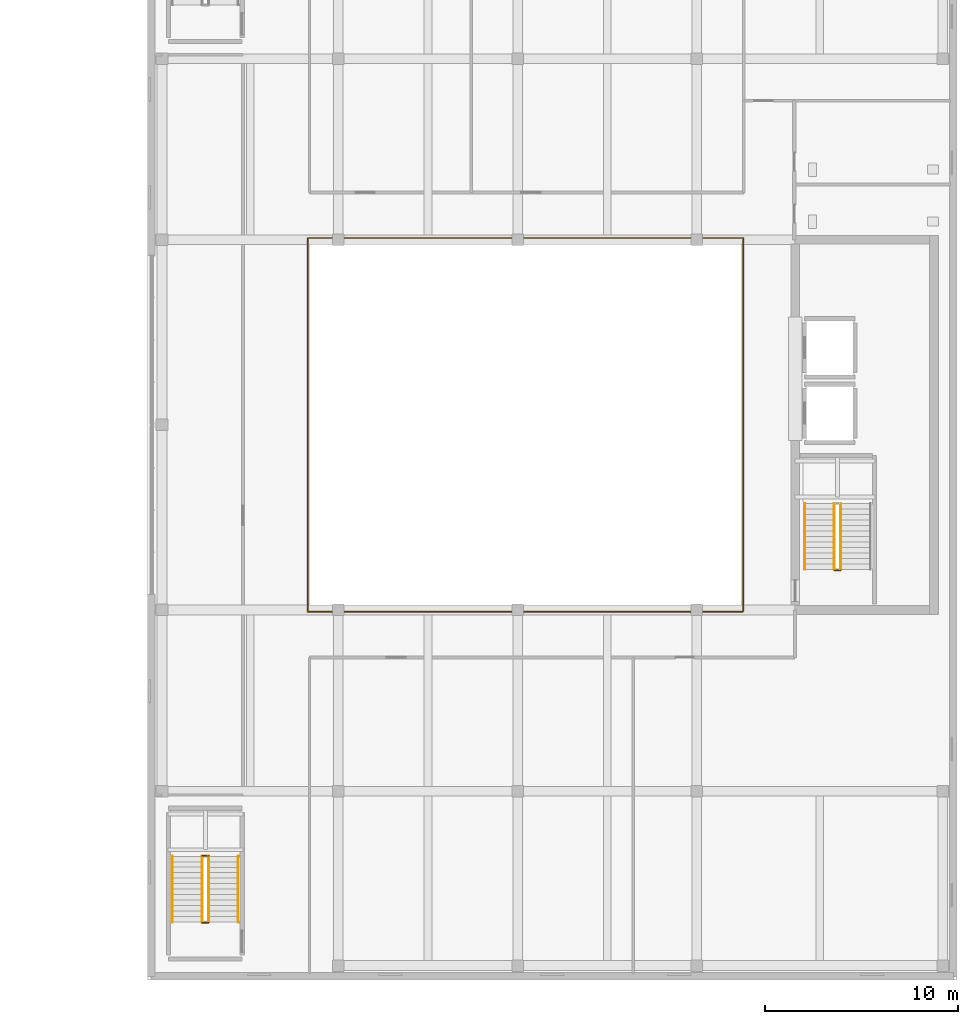
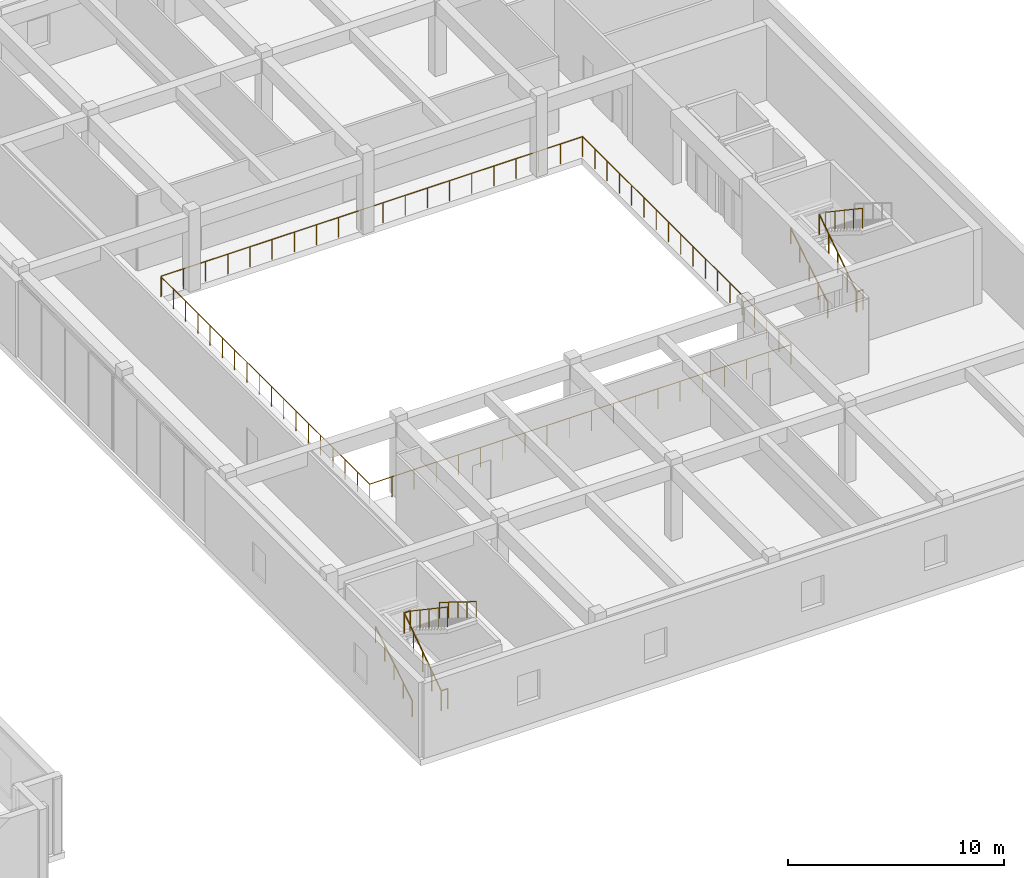
# One storey, part 22 of 24: 12 railings.
"""IFC4 building model written with IfcOpenShell, lengths in metres."""

from ifc_helpers import new_model, si_unit, direction, frame, origin, origin_2d, place, context, subcontext, project, spatial, circle, extrude, material, type_object, element, save


model = new_model("IFC4")

# Units and contexts
model_context = context("Model", 3, precision=1e-05, world=origin(), true_north=direction((0.0, 1.0)))
body_context = subcontext(model_context, "Body", "Model", "MODEL_VIEW")
ifc_project = project(units=[si_unit("LENGTHUNIT", "METRE"), si_unit("AREAUNIT", "SQUARE_METRE"), si_unit("VOLUMEUNIT", "CUBIC_METRE"), si_unit("PLANEANGLEUNIT", "RADIAN"), si_unit("MASSUNIT", "GRAM", prefix="KILO")], contexts=[model_context])

# Site, building, storey
site_placement = place(None, origin())
site = spatial("IfcSite", under=ifc_project, at=site_placement, CompositionType="ELEMENT")
building_placement = place(site_placement, origin())
building = spatial("IfcBuilding", under=site, at=building_placement, Name="Norrvale University Quadrangle", CompositionType="ELEMENT")
storey_placement = place(building_placement, frame((0.0, 0.0, 15.0)))
storey = spatial("IfcBuildingStorey", under=building, at=storey_placement, Name="L03", CompositionType="ELEMENT", Elevation=15.0)

# Railings
ifc_material_1 = material(Name="Steel 350W Painted Balustrade", Category="steel")
railing_type_1 = type_object("IfcRailingType", Name="Railing Stair Guard 1100", PredefinedType="GUARDRAIL", material=ifc_material_1)
railing_1_placement = place(storey_placement, frame((120.830078125, 21.27001953125, 0.0)))
element("IfcRailing", 1, at=railing_1_placement, inside=storey, type_object=railing_type_1, Name="Stair Floor Well Guard ST-L1 L03", PredefinedType="GUARDRAIL", context=body_context, shape_type="SweptSolid", body=[
    extrude(circle(Radius=0.02392578125, at=origin_2d()), frame((0.0, 0.0, 1.1259765625), z_axis=(1.0, 0.0, 0.0), x_axis=(0.0, 1.0, 0.0)), (0.0, 0.0, 1.0), 0.33984375),
    extrude(circle(Radius=0.02099609375, at=origin_2d()), origin(), (0.0, 0.0, 1.0), 1.101806640625),
    extrude(circle(Radius=0.02099609375, at=origin_2d()), frame((0.33984375, 0.0, 0.0)), (0.0, 0.0, 1.0), 1.101806640625),
])
railing_2_placement = place(storey_placement, frame((120.830078125, 21.300048828125, 0.0)))
element("IfcRailing", 2, at=railing_2_placement, inside=storey, type_object=railing_type_1, Name="Stair Lower Flight Inner Guard ST-L1 L03", PredefinedType="GUARDRAIL", context=body_context, shape_type="SweptSolid", body=[
    extrude(circle(Radius=0.02392578125, at=origin_2d()), frame((0.0, 0.0, 1.1259765625), z_axis=(0.0, 0.8297924358, 0.55807214004), x_axis=(-1.0, 0.0, 0.0)), (0.0, 0.0, 1.0), 4.121337890625),
    extrude(circle(Radius=0.02099609375, at=origin_2d()), origin(), (0.0, 0.0, 1.0), 1.101806640625),
    extrude(circle(Radius=0.02099609375, at=origin_2d()), frame((0.0, 0.85498046875, 0.574951171875)), (0.0, 0.0, 1.0), 1.101806640625),
    extrude(circle(Radius=0.02099609375, at=origin_2d()), frame((0.0, 1.7099609375, 1.14990234375)), (0.0, 0.0, 1.0), 1.101806640625),
    extrude(circle(Radius=0.02099609375, at=origin_2d()), frame((0.0, 2.56494140625, 1.72509765625)), (0.0, 0.0, 1.0), 1.101806640625),
    extrude(circle(Radius=0.02099609375, at=origin_2d()), frame((0.0, 3.419921875, 2.300048828125)), (0.0, 0.0, 1.0), 1.101806640625),
])
railing_3_placement = place(storey_placement, frame((121.169921875, 24.719970703125, 2.300048828125)))
element("IfcRailing", 3, at=railing_3_placement, inside=storey, type_object=railing_type_1, Name="Stair Upper Flight Inner Guard ST-L1 L03", PredefinedType="GUARDRAIL", context=body_context, shape_type="SweptSolid", body=[
    extrude(circle(Radius=0.02392578125, at=origin_2d()), frame((0.0, 0.0, 1.1259765625), z_axis=(0.0, -0.8297924358, 0.55807214004), x_axis=(1.0, 0.0, 0.0)), (0.0, 0.0, 1.0), 4.121337890625),
    extrude(circle(Radius=0.02099609375, at=origin_2d()), origin(), (0.0, 0.0, 1.0), 1.101806640625),
    extrude(circle(Radius=0.02099609375, at=origin_2d()), frame((0.0, -0.85498046875, 0.574951171875)), (0.0, 0.0, 1.0), 1.101806640625),
    extrude(circle(Radius=0.02099609375, at=origin_2d()), frame((0.0, -1.7099609375, 1.14990234375)), (0.0, 0.0, 1.0), 1.101806640625),
    extrude(circle(Radius=0.02099609375, at=origin_2d()), frame((0.0, -2.56494140625, 1.72509765625)), (0.0, 0.0, 1.0), 1.101806640625),
    extrude(circle(Radius=0.02099609375, at=origin_2d()), frame((0.0, -3.419921875, 2.300048828125)), (0.0, 0.0, 1.0), 1.101806640625),
])
for number, where, name in (
    (4, (88.030029296875, 2.969970703125, 0.0), "Stair Floor Well Guard ST-L2 L03"),
    (5, (88.030029296875, 6.449951171875, 2.300048828125), "Stair Mid-Landing Slot Guard ST-L2 L03"),
):
    element("IfcRailing", number, at=place(storey_placement, frame(where)), inside=storey, type_object=railing_type_1, Name=name, PredefinedType="GUARDRAIL", context=body_context, shape_type="SweptSolid", body=[
        extrude(circle(Radius=0.02392578125, at=origin_2d()), frame((0.0, 0.0, 1.1259765625), z_axis=(1.0, 0.0, 0.0), x_axis=(0.0, 1.0, 0.0)), (0.0, 0.0, 1.0), 0.340087890625),
        extrude(circle(Radius=0.02099609375, at=origin_2d()), origin(), (0.0, 0.0, 1.0), 1.101806640625),
        extrude(circle(Radius=0.02099609375, at=origin_2d()), frame((0.340087890625, 0.0, 0.0)), (0.0, 0.0, 1.0), 1.101806640625),
    ])
railing_4_placement = place(storey_placement, frame((88.030029296875, 3.0, 0.0)))
element("IfcRailing", 6, at=railing_4_placement, inside=storey, type_object=railing_type_1, Name="Stair Lower Flight Inner Guard ST-L2 L03", PredefinedType="GUARDRAIL", context=body_context, shape_type="SweptSolid", body=[
    extrude(circle(Radius=0.02392578125, at=origin_2d()), frame((0.0, 0.0, 1.1259765625), z_axis=(0.0, 0.8297924358, 0.55807214004), x_axis=(-1.0, 0.0, 0.0)), (0.0, 0.0, 1.0), 4.121337890625),
    extrude(circle(Radius=0.02099609375, at=origin_2d()), origin(), (0.0, 0.0, 1.0), 1.101806640625),
    extrude(circle(Radius=0.02099609375, at=origin_2d()), frame((0.0, 0.85498046875, 0.574951171875)), (0.0, 0.0, 1.0), 1.101806640625),
    extrude(circle(Radius=0.02099609375, at=origin_2d()), frame((0.0, 1.7099609375, 1.14990234375)), (0.0, 0.0, 1.0), 1.101806640625),
    extrude(circle(Radius=0.02099609375, at=origin_2d()), frame((0.0, 2.56494140625, 1.72509765625)), (0.0, 0.0, 1.0), 1.101806640625),
    extrude(circle(Radius=0.02099609375, at=origin_2d()), frame((0.0, 3.419921875, 2.300048828125)), (0.0, 0.0, 1.0), 1.101806640625),
])
railing_5_placement = place(storey_placement, frame((88.3701171875, 6.419921875, 2.300048828125)))
element("IfcRailing", 7, at=railing_5_placement, inside=storey, type_object=railing_type_1, Name="Stair Upper Flight Inner Guard ST-L2 L03", PredefinedType="GUARDRAIL", context=body_context, shape_type="SweptSolid", body=[
    extrude(circle(Radius=0.02392578125, at=origin_2d()), frame((0.0, 0.0, 1.1259765625), z_axis=(0.0, -0.8297924358, 0.55807214004), x_axis=(1.0, 0.0, 0.0)), (0.0, 0.0, 1.0), 4.121337890625),
    extrude(circle(Radius=0.02099609375, at=origin_2d()), origin(), (0.0, 0.0, 1.0), 1.101806640625),
    extrude(circle(Radius=0.02099609375, at=origin_2d()), frame((0.0, -0.85498046875, 0.574951171875)), (0.0, 0.0, 1.0), 1.101806640625),
    extrude(circle(Radius=0.02099609375, at=origin_2d()), frame((0.0, -1.7099609375, 1.14990234375)), (0.0, 0.0, 1.0), 1.101806640625),
    extrude(circle(Radius=0.02099609375, at=origin_2d()), frame((0.0, -2.56494140625, 1.72509765625)), (0.0, 0.0, 1.0), 1.101806640625),
    extrude(circle(Radius=0.02099609375, at=origin_2d()), frame((0.0, -3.419921875, 2.300048828125)), (0.0, 0.0, 1.0), 1.101806640625),
])
ifc_material_2 = material(Name="Stainless Steel 316L Handrail", Category="steel")
railing_type_2 = type_object("IfcRailingType", Name="Railing Stair Handrail 920", PredefinedType="HANDRAIL", material=ifc_material_2)
for number, where, name in (
    (8, (119.2900390625, 21.300048828125, 0.177001953125), "Stair Lower Flight Handrail ST-L1 L03"),
    (9, (86.489990234375, 3.0, 0.177001953125), "Stair Lower Flight Handrail ST-L2 L03"),
):
    element("IfcRailing", number, at=place(storey_placement, frame(where)), inside=storey, type_object=railing_type_2, Name=name, PredefinedType="HANDRAIL", context=body_context, shape_type="SweptSolid", body=[
        extrude(circle(Radius=0.02392578125, at=origin_2d()), frame((0.0, 0.0, 0.89599609375), z_axis=(0.0, 0.849602680019, 0.527423251388), x_axis=(-1.0, 0.0, 0.0)), (0.0, 0.0, 1.0), 4.025390625),
        extrude(circle(Radius=0.02099609375, at=origin_2d()), origin(), (0.0, 0.0, 1.0), 0.871826171875),
        extrude(circle(Radius=0.02099609375, at=origin_2d()), frame((0.0, 0.85498046875, 0.53076171875)), (0.0, 0.0, 1.0), 0.871826171875),
        extrude(circle(Radius=0.02099609375, at=origin_2d()), frame((0.0, 1.7099609375, 1.0615234375)), (0.0, 0.0, 1.0), 0.871826171875),
        extrude(circle(Radius=0.02099609375, at=origin_2d()), frame((0.0, 2.56494140625, 1.59228515625)), (0.0, 0.0, 1.0), 0.871826171875),
        extrude(circle(Radius=0.02099609375, at=origin_2d()), frame((0.0, 3.419921875, 2.123046875)), (0.0, 0.0, 1.0), 0.871826171875),
    ])
railing_6_placement = place(storey_placement, frame((89.909912109375, 6.419921875, 2.476806640625)))
element("IfcRailing", 10, at=railing_6_placement, inside=storey, type_object=railing_type_2, Name="Stair Upper Flight Handrail ST-L2 L03", PredefinedType="HANDRAIL", context=body_context, shape_type="SweptSolid", body=[
    extrude(circle(Radius=0.02392578125, at=origin_2d()), frame((0.0, 0.0, 0.89599609375), z_axis=(0.0, -0.849575501924, 0.527467028857), x_axis=(1.0, 0.0, 0.0)), (0.0, 0.0, 1.0), 4.025390625),
    extrude(circle(Radius=0.02099609375, at=origin_2d()), origin(), (0.0, 0.0, 1.0), 0.871826171875),
    extrude(circle(Radius=0.02099609375, at=origin_2d()), frame((0.0, -0.85498046875, 0.53076171875)), (0.0, 0.0, 1.0), 0.871826171875),
    extrude(circle(Radius=0.02099609375, at=origin_2d()), frame((0.0, -1.7099609375, 1.0615234375)), (0.0, 0.0, 1.0), 0.871826171875),
    extrude(circle(Radius=0.02099609375, at=origin_2d()), frame((0.0, -2.56494140625, 1.592529296875)), (0.0, 0.0, 1.0), 0.871826171875),
    extrude(circle(Radius=0.02099609375, at=origin_2d()), frame((0.0, -3.419921875, 2.123291015625)), (0.0, 0.0, 1.0), 0.871826171875),
])
ifc_material_3 = material(Name="Stainless Steel 316L Balustrade", Category="steel")
railing_type_3 = type_object("IfcRailingType", Name="Railing Terrace Guard 1150", PredefinedType="BALUSTRADE", material=ifc_material_3)
railing_7_placement = place(storey_placement, frame((93.5, 38.4599609375, 0.0)))
element("IfcRailing", 11, at=railing_7_placement, inside=storey, type_object=railing_type_3, Name="Central Library Atrium Balustrade SW L03", PredefinedType="BALUSTRADE", context=body_context, shape_type="SweptSolid", body=[
    extrude(circle(Radius=0.02392578125, at=origin_2d()), frame((0.0, 0.0, 1.1259765625), z_axis=(0.0, -1.0, 0.0), x_axis=(1.0, 0.0, 0.0)), (0.0, 0.0, 1.0), 19.35986328125),
    extrude(circle(Radius=0.02392578125, at=origin_2d()), frame((0.0, -19.35986328125, 1.1259765625), z_axis=(1.0, 0.0, 0.0), x_axis=(0.0, 1.0, 0.0)), (0.0, 0.0, 1.0), 22.56005859375),
    extrude(circle(Radius=0.02099609375, at=origin_2d()), origin(), (0.0, 0.0, 1.0), 1.101806640625),
    extrude(circle(Radius=0.02099609375, at=origin_2d()), frame((0.0, -1.138916015625, 0.0)), (0.0, 0.0, 1.0), 1.101806640625),
    extrude(circle(Radius=0.02099609375, at=origin_2d()), frame((0.0, -2.277587890625, 0.0)), (0.0, 0.0, 1.0), 1.101806640625),
    extrude(circle(Radius=0.02099609375, at=origin_2d()), frame((0.0, -3.41650390625, 0.0)), (0.0, 0.0, 1.0), 1.101806640625),
    extrude(circle(Radius=0.02099609375, at=origin_2d()), frame((0.0, -4.55517578125, 0.0)), (0.0, 0.0, 1.0), 1.101806640625),
    extrude(circle(Radius=0.02099609375, at=origin_2d()), frame((0.0, -5.694091796875, 0.0)), (0.0, 0.0, 1.0), 1.101806640625),
    extrude(circle(Radius=0.02099609375, at=origin_2d()), frame((0.0, -6.8330078125, 0.0)), (0.0, 0.0, 1.0), 1.101806640625),
    extrude(circle(Radius=0.02099609375, at=origin_2d()), frame((0.0, -7.9716796875, 0.0)), (0.0, 0.0, 1.0), 1.101806640625),
    extrude(circle(Radius=0.02099609375, at=origin_2d()), frame((0.0, -9.110595703125, 0.0)), (0.0, 0.0, 1.0), 1.101806640625),
    extrude(circle(Radius=0.02099609375, at=origin_2d()), frame((0.0, -10.249267578125, 0.0)), (0.0, 0.0, 1.0), 1.101806640625),
    extrude(circle(Radius=0.02099609375, at=origin_2d()), frame((0.0, -11.38818359375, 0.0)), (0.0, 0.0, 1.0), 1.101806640625),
    extrude(circle(Radius=0.02099609375, at=origin_2d()), frame((0.0, -12.52685546875, 0.0)), (0.0, 0.0, 1.0), 1.101806640625),
    extrude(circle(Radius=0.02099609375, at=origin_2d()), frame((0.0, -13.665771484375, 0.0)), (0.0, 0.0, 1.0), 1.101806640625),
    extrude(circle(Radius=0.02099609375, at=origin_2d()), frame((0.0, -14.8046875, 0.0)), (0.0, 0.0, 1.0), 1.101806640625),
    extrude(circle(Radius=0.02099609375, at=origin_2d()), frame((0.0, -15.943359375, 0.0)), (0.0, 0.0, 1.0), 1.101806640625),
    extrude(circle(Radius=0.02099609375, at=origin_2d()), frame((0.0, -17.082275390625, 0.0)), (0.0, 0.0, 1.0), 1.101806640625),
    extrude(circle(Radius=0.02099609375, at=origin_2d()), frame((0.0, -18.220947265625, 0.0)), (0.0, 0.0, 1.0), 1.101806640625),
    extrude(circle(Radius=0.02099609375, at=origin_2d()), frame((0.0, -19.35986328125, 0.0)), (0.0, 0.0, 1.0), 1.101806640625),
    extrude(circle(Radius=0.02099609375, at=origin_2d()), frame((1.187255859375, -19.35986328125, 0.0)), (0.0, 0.0, 1.0), 1.101806640625),
    extrude(circle(Radius=0.02099609375, at=origin_2d()), frame((2.374755859375, -19.35986328125, 0.0)), (0.0, 0.0, 1.0), 1.101806640625),
    extrude(circle(Radius=0.02099609375, at=origin_2d()), frame((3.56201171875, -19.35986328125, 0.0)), (0.0, 0.0, 1.0), 1.101806640625),
    extrude(circle(Radius=0.02099609375, at=origin_2d()), frame((4.74951171875, -19.35986328125, 0.0)), (0.0, 0.0, 1.0), 1.101806640625),
    extrude(circle(Radius=0.02099609375, at=origin_2d()), frame((5.936767578125, -19.35986328125, 0.0)), (0.0, 0.0, 1.0), 1.101806640625),
    extrude(circle(Radius=0.02099609375, at=origin_2d()), frame((7.124267578125, -19.35986328125, 0.0)), (0.0, 0.0, 1.0), 1.101806640625),
    extrude(circle(Radius=0.02099609375, at=origin_2d()), frame((8.3115234375, -19.35986328125, 0.0)), (0.0, 0.0, 1.0), 1.101806640625),
    extrude(circle(Radius=0.02099609375, at=origin_2d()), frame((9.4990234375, -19.35986328125, 0.0)), (0.0, 0.0, 1.0), 1.101806640625),
    extrude(circle(Radius=0.02099609375, at=origin_2d()), frame((10.686279296875, -19.35986328125, 0.0)), (0.0, 0.0, 1.0), 1.101806640625),
    extrude(circle(Radius=0.02099609375, at=origin_2d()), frame((11.873779296875, -19.35986328125, 0.0)), (0.0, 0.0, 1.0), 1.101806640625),
    extrude(circle(Radius=0.02099609375, at=origin_2d()), frame((13.06103515625, -19.35986328125, 0.0)), (0.0, 0.0, 1.0), 1.101806640625),
    extrude(circle(Radius=0.02099609375, at=origin_2d()), frame((14.24853515625, -19.35986328125, 0.0)), (0.0, 0.0, 1.0), 1.101806640625),
    extrude(circle(Radius=0.02099609375, at=origin_2d()), frame((15.435791015625, -19.35986328125, 0.0)), (0.0, 0.0, 1.0), 1.101806640625),
    extrude(circle(Radius=0.02099609375, at=origin_2d()), frame((16.623291015625, -19.35986328125, 0.0)), (0.0, 0.0, 1.0), 1.101806640625),
    extrude(circle(Radius=0.02099609375, at=origin_2d()), frame((17.810546875, -19.35986328125, 0.0)), (0.0, 0.0, 1.0), 1.101806640625),
    extrude(circle(Radius=0.02099609375, at=origin_2d()), frame((18.998046875, -19.35986328125, 0.0)), (0.0, 0.0, 1.0), 1.101806640625),
    extrude(circle(Radius=0.02099609375, at=origin_2d()), frame((20.185302734375, -19.35986328125, 0.0)), (0.0, 0.0, 1.0), 1.101806640625),
    extrude(circle(Radius=0.02099609375, at=origin_2d()), frame((21.372802734375, -19.35986328125, 0.0)), (0.0, 0.0, 1.0), 1.101806640625),
    extrude(circle(Radius=0.02099609375, at=origin_2d()), frame((22.56005859375, -19.35986328125, 0.0)), (0.0, 0.0, 1.0), 1.101806640625),
])
railing_8_placement = place(storey_placement, frame((93.5400390625, 38.5, 0.0)))
element("IfcRailing", 12, at=railing_8_placement, inside=storey, type_object=railing_type_3, Name="Central Library Atrium Balustrade NE L03", PredefinedType="BALUSTRADE", context=body_context, shape_type="SweptSolid", body=[
    extrude(circle(Radius=0.02392578125, at=origin_2d()), frame((0.0, 0.0, 1.1259765625), z_axis=(1.0, 0.0, 0.0), x_axis=(0.0, 1.0, 0.0)), (0.0, 0.0, 1.0), 22.56005859375),
    extrude(circle(Radius=0.02392578125, at=origin_2d()), frame((22.56005859375, 0.0, 1.1259765625), z_axis=(0.0, -1.0, 0.0), x_axis=(1.0, 0.0, 0.0)), (0.0, 0.0, 1.0), 19.360107421875),
    extrude(circle(Radius=0.02099609375, at=origin_2d()), origin(), (0.0, 0.0, 1.0), 1.101806640625),
    extrude(circle(Radius=0.02099609375, at=origin_2d()), frame((1.187255859375, 0.0, 0.0)), (0.0, 0.0, 1.0), 1.101806640625),
    extrude(circle(Radius=0.02099609375, at=origin_2d()), frame((2.374755859375, 0.0, 0.0)), (0.0, 0.0, 1.0), 1.101806640625),
    extrude(circle(Radius=0.02099609375, at=origin_2d()), frame((3.56201171875, 0.0, 0.0)), (0.0, 0.0, 1.0), 1.101806640625),
    extrude(circle(Radius=0.02099609375, at=origin_2d()), frame((4.74951171875, 0.0, 0.0)), (0.0, 0.0, 1.0), 1.101806640625),
    extrude(circle(Radius=0.02099609375, at=origin_2d()), frame((5.936767578125, 0.0, 0.0)), (0.0, 0.0, 1.0), 1.101806640625),
    extrude(circle(Radius=0.02099609375, at=origin_2d()), frame((7.124267578125, 0.0, 0.0)), (0.0, 0.0, 1.0), 1.101806640625),
    extrude(circle(Radius=0.02099609375, at=origin_2d()), frame((8.3115234375, 0.0, 0.0)), (0.0, 0.0, 1.0), 1.101806640625),
    extrude(circle(Radius=0.02099609375, at=origin_2d()), frame((9.4990234375, 0.0, 0.0)), (0.0, 0.0, 1.0), 1.101806640625),
    extrude(circle(Radius=0.02099609375, at=origin_2d()), frame((10.686279296875, 0.0, 0.0)), (0.0, 0.0, 1.0), 1.101806640625),
    extrude(circle(Radius=0.02099609375, at=origin_2d()), frame((11.873779296875, 0.0, 0.0)), (0.0, 0.0, 1.0), 1.101806640625),
    extrude(circle(Radius=0.02099609375, at=origin_2d()), frame((13.06103515625, 0.0, 0.0)), (0.0, 0.0, 1.0), 1.101806640625),
    extrude(circle(Radius=0.02099609375, at=origin_2d()), frame((14.24853515625, 0.0, 0.0)), (0.0, 0.0, 1.0), 1.101806640625),
    extrude(circle(Radius=0.02099609375, at=origin_2d()), frame((15.435791015625, 0.0, 0.0)), (0.0, 0.0, 1.0), 1.101806640625),
    extrude(circle(Radius=0.02099609375, at=origin_2d()), frame((16.623291015625, 0.0, 0.0)), (0.0, 0.0, 1.0), 1.101806640625),
    extrude(circle(Radius=0.02099609375, at=origin_2d()), frame((17.810546875, 0.0, 0.0)), (0.0, 0.0, 1.0), 1.101806640625),
    extrude(circle(Radius=0.02099609375, at=origin_2d()), frame((18.998046875, 0.0, 0.0)), (0.0, 0.0, 1.0), 1.101806640625),
    extrude(circle(Radius=0.02099609375, at=origin_2d()), frame((20.185302734375, 0.0, 0.0)), (0.0, 0.0, 1.0), 1.101806640625),
    extrude(circle(Radius=0.02099609375, at=origin_2d()), frame((21.372802734375, 0.0, 0.0)), (0.0, 0.0, 1.0), 1.101806640625),
    extrude(circle(Radius=0.02099609375, at=origin_2d()), frame((22.56005859375, 0.0, 0.0)), (0.0, 0.0, 1.0), 1.101806640625),
    extrude(circle(Radius=0.02099609375, at=origin_2d()), frame((22.56005859375, -1.138916015625, 0.0)), (0.0, 0.0, 1.0), 1.101806640625),
    extrude(circle(Radius=0.02099609375, at=origin_2d()), frame((22.56005859375, -2.277587890625, 0.0)), (0.0, 0.0, 1.0), 1.101806640625),
    extrude(circle(Radius=0.02099609375, at=origin_2d()), frame((22.56005859375, -3.41650390625, 0.0)), (0.0, 0.0, 1.0), 1.101806640625),
    extrude(circle(Radius=0.02099609375, at=origin_2d()), frame((22.56005859375, -4.555419921875, 0.0)), (0.0, 0.0, 1.0), 1.101806640625),
    extrude(circle(Radius=0.02099609375, at=origin_2d()), frame((22.56005859375, -5.694091796875, 0.0)), (0.0, 0.0, 1.0), 1.101806640625),
    extrude(circle(Radius=0.02099609375, at=origin_2d()), frame((22.56005859375, -6.8330078125, 0.0)), (0.0, 0.0, 1.0), 1.101806640625),
    extrude(circle(Radius=0.02099609375, at=origin_2d()), frame((22.56005859375, -7.971923828125, 0.0)), (0.0, 0.0, 1.0), 1.101806640625),
    extrude(circle(Radius=0.02099609375, at=origin_2d()), frame((22.56005859375, -9.110595703125, 0.0)), (0.0, 0.0, 1.0), 1.101806640625),
    extrude(circle(Radius=0.02099609375, at=origin_2d()), frame((22.56005859375, -10.24951171875, 0.0)), (0.0, 0.0, 1.0), 1.101806640625),
    extrude(circle(Radius=0.02099609375, at=origin_2d()), frame((22.56005859375, -11.38818359375, 0.0)), (0.0, 0.0, 1.0), 1.101806640625),
    extrude(circle(Radius=0.02099609375, at=origin_2d()), frame((22.56005859375, -12.527099609375, 0.0)), (0.0, 0.0, 1.0), 1.101806640625),
    extrude(circle(Radius=0.02099609375, at=origin_2d()), frame((22.56005859375, -13.666015625, 0.0)), (0.0, 0.0, 1.0), 1.101806640625),
    extrude(circle(Radius=0.02099609375, at=origin_2d()), frame((22.56005859375, -14.8046875, 0.0)), (0.0, 0.0, 1.0), 1.101806640625),
    extrude(circle(Radius=0.02099609375, at=origin_2d()), frame((22.56005859375, -15.943603515625, 0.0)), (0.0, 0.0, 1.0), 1.101806640625),
    extrude(circle(Radius=0.02099609375, at=origin_2d()), frame((22.56005859375, -17.08251953125, 0.0)), (0.0, 0.0, 1.0), 1.101806640625),
    extrude(circle(Radius=0.02099609375, at=origin_2d()), frame((22.56005859375, -18.22119140625, 0.0)), (0.0, 0.0, 1.0), 1.101806640625),
    extrude(circle(Radius=0.02099609375, at=origin_2d()), frame((22.56005859375, -19.360107421875, 0.0)), (0.0, 0.0, 1.0), 1.101806640625),
])

save(model, "model.ifc")
